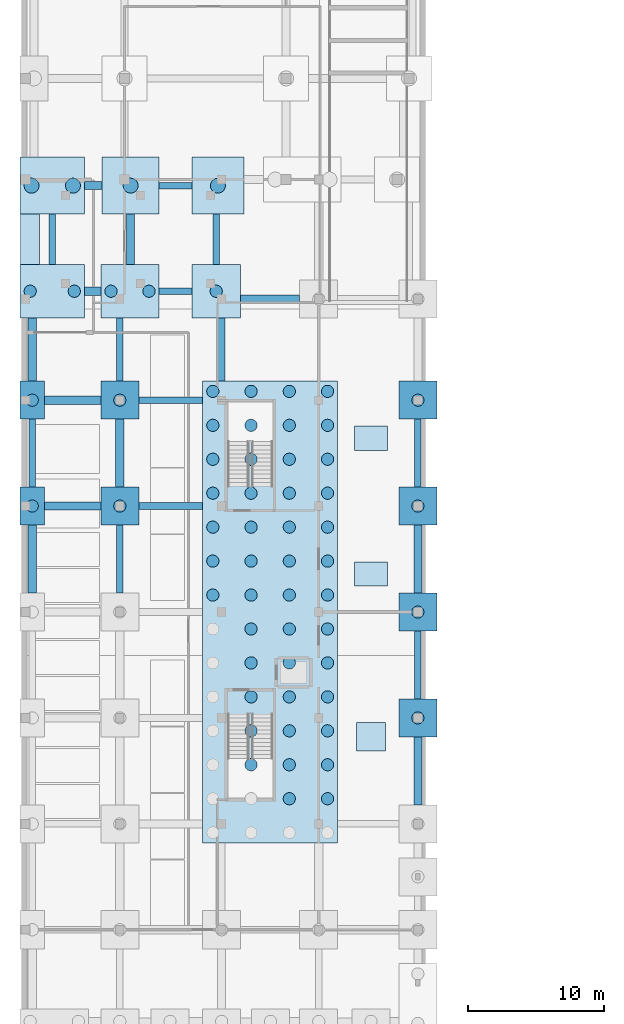
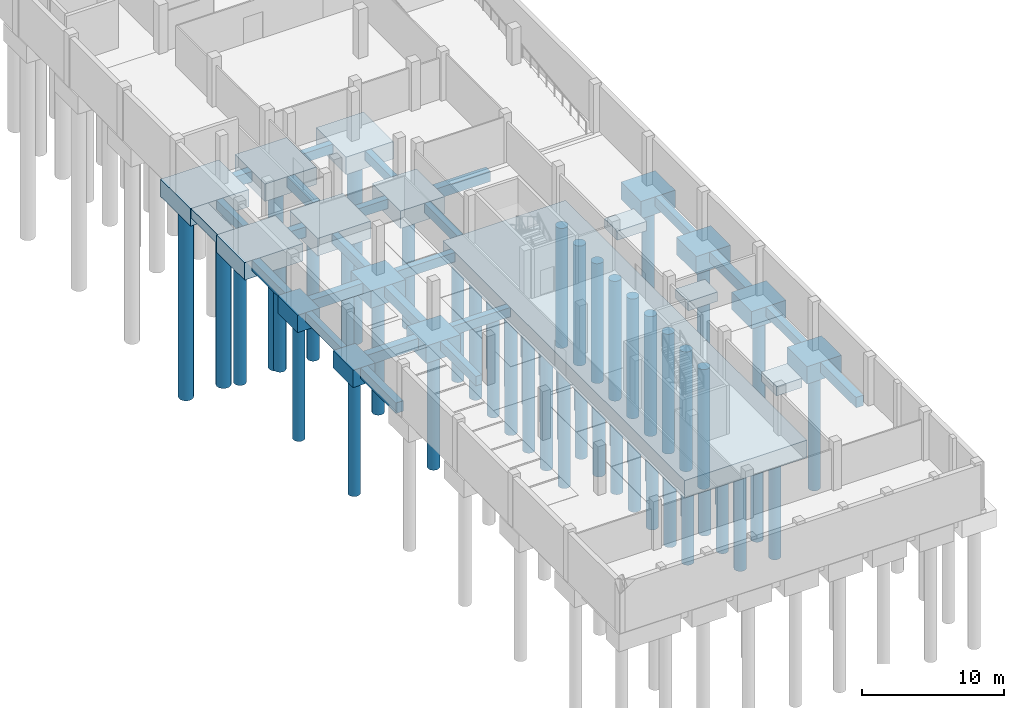
# One storey, part 2 of 21: 62 piles, 42 footings.
"""IFC4 building model written with IfcOpenShell, lengths in metres."""

from ifc_helpers import new_model, si_unit, direction, frame, origin, origin_2d, place, context, subcontext, project, spatial, polyline, circle, outline, extrude, material, material_profile, profile_set, type_object, element, save


model = new_model("IFC4")

# Units and contexts
model_context = context("Model", 3, precision=1e-05, world=origin(), true_north=direction((0.0, 1.0)))
body_context = subcontext(model_context, "Body", "Model", "MODEL_VIEW")
ifc_project = project(units=[si_unit("LENGTHUNIT", "METRE"), si_unit("AREAUNIT", "SQUARE_METRE"), si_unit("VOLUMEUNIT", "CUBIC_METRE"), si_unit("PLANEANGLEUNIT", "RADIAN"), si_unit("MASSUNIT", "GRAM", prefix="KILO")], contexts=[model_context])

# Site, building, storey
site_placement = place(None, origin())
site = spatial("IfcSite", under=ifc_project, at=site_placement, CompositionType="ELEMENT")
building_placement = place(site_placement, origin())
building = spatial("IfcBuilding", under=site, at=building_placement, Name="Quillay Park Conservatory", CompositionType="ELEMENT")
storey_placement = place(building_placement, frame((0.0, 0.0, -8.39990234375)))
storey = spatial("IfcBuildingStorey", under=building, at=storey_placement, Name="B2", CompositionType="ELEMENT", Elevation=-8.39990234375)

# Piles
ifc_material_1 = material(Name="Concrete C35/45 (NCh170 Concrete C35/45)", Category="concrete")
ifc_material_profile_1 = material_profile(ifc_material_1, circle(Radius=0.550048828125, at=origin_2d()), Name="PILE1100")
ifc_profile_set_1 = profile_set([ifc_material_profile_1], Name="Concrete C35/45 (NCh170 Concrete C35/45)")
pile_type_1 = type_object("IfcPileType", Name="BORED CONCRETE PILE 1100", PredefinedType="BORED", material=ifc_profile_set_1)
for number, where, z_axis, x_axis, name in (
    (1, (1.0, 62.60009765625, -1.7001953125), (0.0, 0.0, -1.0), (1.0, 0.0, 0.0), "Bored pile P-0095"),
    (2, (4.050048828125, 62.60009765625, -1.7001953125), (0.0, 0.0, -1.0), (1.0, 0.0, 0.0), "Bored pile P-0096"),
    (3, (8.300048828125, 62.60009765625, -1.7001953125), (0.0, 0.0, -1.0), (1.0, 0.0, 0.0), "Bored pile P-0097"),
    (4, (14.72509765625, 62.60009765625, -1.7001953125), (0.0, 0.0, -1.0), (1.0, 0.0, 0.0), "Bored pile P-0098"),
):
    element("IfcPile", number, at=place(storey_placement, frame(where, z_axis=z_axis, x_axis=x_axis)), inside=storey, type_object=pile_type_1, Name=name, PredefinedType="BORED", context=body_context, shape_type="SweptSolid", body=[
        extrude(circle(Radius=0.550048828125, at=origin_2d()), origin(), (0.0, 0.0, 1.0), 16.300048828125),
    ])
ifc_material_2 = material(Name="Concrete C35/45 (NCh170 Concrete C35/45)", Category="concrete")
ifc_material_profile_2 = material_profile(ifc_material_2, circle(Radius=0.449951171875, at=origin_2d()), Name="PILE900")
ifc_profile_set_2 = profile_set([ifc_material_profile_2], Name="Concrete C35/45 (NCh170 Concrete C35/45)")
pile_type_2 = type_object("IfcPileType", Name="BORED CONCRETE PILE 900", PredefinedType="BORED", material=ifc_profile_set_2)
for number, where, z_axis, x_axis, name in (
    (5, (14.35009765625, 32.449951171875, -1.7001953125), (0.0, 0.0, -1.0), (1.0, 0.0, 0.0), "Bored pile P-0026"),
    (6, (14.35009765625, 34.949951171875, -1.7001953125), (0.0, 0.0, -1.0), (1.0, 0.0, 0.0), "Bored pile P-0027"),
    (7, (14.35009765625, 37.449951171875, -1.7001953125), (0.0, 0.0, -1.0), (1.0, 0.0, 0.0), "Bored pile P-0028"),
    (8, (14.35009765625, 39.949951171875, -1.7001953125), (0.0, 0.0, -1.0), (1.0, 0.0, 0.0), "Bored pile P-0029"),
    (9, (14.35009765625, 42.449951171875, -1.7001953125), (0.0, 0.0, -1.0), (1.0, 0.0, 0.0), "Bored pile P-0030"),
    (10, (14.35009765625, 44.949951171875, -1.7001953125), (0.0, 0.0, -1.0), (1.0, 0.0, 0.0), "Bored pile P-0031"),
    (11, (14.35009765625, 47.449951171875, -1.7001953125), (0.0, 0.0, -1.0), (1.0, 0.0, 0.0), "Bored pile P-0032"),
    (12, (17.166748046875, 19.949951171875, -1.7001953125), (0.0, 0.0, -1.0), (1.0, 0.0, 0.0), "Bored pile P-0035"),
    (13, (17.166748046875, 22.449951171875, -1.7001953125), (0.0, 0.0, -1.0), (1.0, 0.0, 0.0), "Bored pile P-0036"),
    (14, (17.166748046875, 24.949951171875, -1.7001953125), (0.0, 0.0, -1.0), (1.0, 0.0, 0.0), "Bored pile P-0037"),
    (15, (17.166748046875, 27.449951171875, -1.7001953125), (0.0, 0.0, -1.0), (1.0, 0.0, 0.0), "Bored pile P-0038"),
    (16, (17.166748046875, 29.949951171875, -1.7001953125), (0.0, 0.0, -1.0), (1.0, 0.0, 0.0), "Bored pile P-0039"),
    (17, (17.166748046875, 32.449951171875, -1.7001953125), (0.0, 0.0, -1.0), (1.0, 0.0, 0.0), "Bored pile P-0040"),
    (18, (17.166748046875, 34.949951171875, -1.7001953125), (0.0, 0.0, -1.0), (1.0, 0.0, 0.0), "Bored pile P-0041"),
    (19, (17.166748046875, 37.449951171875, -1.7001953125), (0.0, 0.0, -1.0), (1.0, 0.0, 0.0), "Bored pile P-0042"),
    (20, (17.166748046875, 39.949951171875, -1.7001953125), (0.0, 0.0, -1.0), (1.0, 0.0, 0.0), "Bored pile P-0043"),
    (21, (17.166748046875, 42.449951171875, -1.7001953125), (0.0, 0.0, -1.0), (1.0, 0.0, 0.0), "Bored pile P-0044"),
    (22, (17.166748046875, 44.949951171875, -1.7001953125), (0.0, 0.0, -1.0), (1.0, 0.0, 0.0), "Bored pile P-0045"),
    (23, (17.166748046875, 47.449951171875, -1.7001953125), (0.0, 0.0, -1.0), (1.0, 0.0, 0.0), "Bored pile P-0046"),
    (24, (19.9833984375, 17.449951171875, -1.7001953125), (0.0, 0.0, -1.0), (1.0, 0.0, 0.0), "Bored pile P-0048"),
    (25, (19.9833984375, 19.949951171875, -1.7001953125), (0.0, 0.0, -1.0), (1.0, 0.0, 0.0), "Bored pile P-0049"),
    (26, (19.9833984375, 22.449951171875, -1.7001953125), (0.0, 0.0, -1.0), (1.0, 0.0, 0.0), "Bored pile P-0050"),
    (27, (19.9833984375, 24.949951171875, -1.7001953125), (0.0, 0.0, -1.0), (1.0, 0.0, 0.0), "Bored pile P-0051"),
    (28, (19.9833984375, 27.449951171875, -1.7001953125), (0.0, 0.0, -1.0), (1.0, 0.0, 0.0), "Bored pile P-0052"),
    (29, (19.9833984375, 29.949951171875, -1.7001953125), (0.0, 0.0, -1.0), (1.0, 0.0, 0.0), "Bored pile P-0053"),
    (30, (19.9833984375, 32.449951171875, -1.7001953125), (0.0, 0.0, -1.0), (1.0, 0.0, 0.0), "Bored pile P-0054"),
    (31, (19.9833984375, 34.949951171875, -1.7001953125), (0.0, 0.0, -1.0), (1.0, 0.0, 0.0), "Bored pile P-0055"),
    (32, (19.9833984375, 37.449951171875, -1.7001953125), (0.0, 0.0, -1.0), (1.0, 0.0, 0.0), "Bored pile P-0056"),
    (33, (19.9833984375, 39.949951171875, -1.7001953125), (0.0, 0.0, -1.0), (1.0, 0.0, 0.0), "Bored pile P-0057"),
    (34, (19.9833984375, 42.449951171875, -1.7001953125), (0.0, 0.0, -1.0), (1.0, 0.0, 0.0), "Bored pile P-0058"),
    (35, (19.9833984375, 44.949951171875, -1.7001953125), (0.0, 0.0, -1.0), (1.0, 0.0, 0.0), "Bored pile P-0059"),
    (36, (19.9833984375, 47.449951171875, -1.7001953125), (0.0, 0.0, -1.0), (1.0, 0.0, 0.0), "Bored pile P-0060"),
    (37, (22.800048828125, 17.449951171875, -1.7001953125), (0.0, 0.0, -1.0), (1.0, 0.0, 0.0), "Bored pile P-0062"),
    (38, (22.800048828125, 19.949951171875, -1.7001953125), (0.0, 0.0, -1.0), (1.0, 0.0, 0.0), "Bored pile P-0063"),
    (39, (22.800048828125, 22.449951171875, -1.7001953125), (0.0, 0.0, -1.0), (1.0, 0.0, 0.0), "Bored pile P-0064"),
    (40, (22.800048828125, 24.949951171875, -1.7001953125), (0.0, 0.0, -1.0), (1.0, 0.0, 0.0), "Bored pile P-0065"),
    (41, (22.800048828125, 27.449951171875, -1.7001953125), (0.0, 0.0, -1.0), (1.0, 0.0, 0.0), "Bored pile P-0066"),
    (42, (22.800048828125, 29.949951171875, -1.7001953125), (0.0, 0.0, -1.0), (1.0, 0.0, 0.0), "Bored pile P-0067"),
    (43, (22.800048828125, 32.449951171875, -1.7001953125), (0.0, 0.0, -1.0), (1.0, 0.0, 0.0), "Bored pile P-0068"),
    (44, (22.800048828125, 34.949951171875, -1.7001953125), (0.0, 0.0, -1.0), (1.0, 0.0, 0.0), "Bored pile P-0069"),
    (45, (22.800048828125, 37.449951171875, -1.7001953125), (0.0, 0.0, -1.0), (1.0, 0.0, 0.0), "Bored pile P-0070"),
    (46, (22.800048828125, 39.949951171875, -1.7001953125), (0.0, 0.0, -1.0), (1.0, 0.0, 0.0), "Bored pile P-0071"),
    (47, (22.800048828125, 42.449951171875, -1.7001953125), (0.0, 0.0, -1.0), (1.0, 0.0, 0.0), "Bored pile P-0072"),
    (48, (22.800048828125, 44.949951171875, -1.7001953125), (0.0, 0.0, -1.0), (1.0, 0.0, 0.0), "Bored pile P-0073"),
    (49, (22.800048828125, 47.449951171875, -1.7001953125), (0.0, 0.0, -1.0), (1.0, 0.0, 0.0), "Bored pile P-0074"),
    (50, (29.449951171875, 23.39990234375, -1.7001953125), (0.0, 0.0, -1.0), (1.0, 0.0, 0.0), "Bored pile P-0078"),
    (51, (29.449951171875, 31.199951171875, -1.7001953125), (0.0, 0.0, -1.0), (1.0, 0.0, 0.0), "Bored pile P-0081"),
    (52, (1.050048828125, 39.0, -1.7001953125), (0.0, 0.0, -1.0), (1.0, 0.0, 0.0), "Bored pile P-0082"),
    (53, (7.5, 39.0, -1.7001953125), (0.0, 0.0, -1.0), (1.0, 0.0, 0.0), "Bored pile P-0083"),
    (54, (29.449951171875, 39.0, -1.7001953125), (0.0, 0.0, -1.0), (1.0, 0.0, 0.0), "Bored pile P-0084"),
    (55, (1.050048828125, 46.800048828125, -1.7001953125), (0.0, 0.0, -1.0), (1.0, 0.0, 0.0), "Bored pile P-0085"),
    (56, (7.5, 46.800048828125, -1.7001953125), (0.0, 0.0, -1.0), (1.0, 0.0, 0.0), "Bored pile P-0086"),
    (57, (29.449951171875, 46.800048828125, -1.7001953125), (0.0, 0.0, -1.0), (1.0, 0.0, 0.0), "Bored pile P-0087"),
    (58, (0.89990234375, 54.824951171875, -1.7001953125), (0.0, 0.0, -1.0), (1.0, 0.0, 0.0), "Bored pile P-0088"),
    (59, (4.14990234375, 54.824951171875, -1.7001953125), (0.0, 0.0, -1.0), (1.0, 0.0, 0.0), "Bored pile P-0089"),
    (60, (6.85009765625, 54.824951171875, -1.7001953125), (0.0, 0.0, -1.0), (1.0, 0.0, 0.0), "Bored pile P-0090"),
    (61, (9.64990234375, 54.824951171875, -1.7001953125), (0.0, 0.0, -1.0), (1.0, 0.0, 0.0), "Bored pile P-0091"),
    (62, (14.60009765625, 54.824951171875, -1.7001953125), (0.0, 0.0, -1.0), (1.0, 0.0, 0.0), "Bored pile P-0092"),
):
    element("IfcPile", number, at=place(storey_placement, frame(where, z_axis=z_axis, x_axis=x_axis)), inside=storey, type_object=pile_type_2, Name=name, PredefinedType="BORED", context=body_context, shape_type="SweptSolid", body=[
        extrude(circle(Radius=0.449951171875, at=origin_2d()), origin(), (0.0, 0.0, 1.0), 10.300048828125),
    ])

# Footings
ifc_material_3 = material(Name="Concrete C35/45 (NCh170 Concrete C35/45)", Category="concrete")
footing_type_1 = type_object("IfcFootingType", Name="BORED PILE CAP 1800 X2800", PredefinedType="PILE_CAP", material=ifc_material_3)
footing_1_placement = place(storey_placement, frame((0.0, 0.0, -1.800048828125)))
element("IfcFooting", 63, at=footing_1_placement, inside=storey, type_object=footing_type_1, Name="B2 pile cap PC-04 (025)", PredefinedType="PILE_CAP", context=body_context, shape_type="SweptSolid", body=[
    extrude(outline(polyline([(0.14990234375, 37.60009765625), (1.949951171875, 37.60009765625), (1.949951171875, 40.39990234375), (0.14990234375, 40.39990234375), (0.14990234375, 37.60009765625)])), origin(), (0.0, 0.0, 1.0), 1.5),
])
footing_2_placement = place(storey_placement, frame((0.0, 0.0, -1.800048828125)))
element("IfcFooting", 64, at=footing_2_placement, inside=storey, type_object=footing_type_1, Name="B2 pile cap PC-04 (028)", PredefinedType="PILE_CAP", context=body_context, shape_type="SweptSolid", body=[
    extrude(outline(polyline([(0.14990234375, 45.39990234375), (1.949951171875, 45.39990234375), (1.949951171875, 48.199951171875), (0.14990234375, 48.199951171875), (0.14990234375, 45.39990234375)])), origin(), (0.0, 0.0, 1.0), 1.5),
])
ifc_material_4 = material(Name="Concrete C35/45 (NCh170 Concrete C35/45)", Category="concrete")
footing_type_2 = type_object("IfcFootingType", Name="BORED PILE CAP 2800 X2800", PredefinedType="PILE_CAP", material=ifc_material_4)
footing_3_placement = place(storey_placement, frame((0.0, 0.0, -1.800048828125)))
element("IfcFooting", 65, at=footing_3_placement, inside=storey, type_object=footing_type_2, Name="B2 pile cap PC-05 (021)", PredefinedType="PILE_CAP", context=body_context, shape_type="SweptSolid", body=[
    extrude(outline(polyline([(28.050048828125, 22.0), (30.85009765625, 22.0), (30.85009765625, 24.800048828125), (28.050048828125, 24.800048828125), (28.050048828125, 22.0)])), origin(), (0.0, 0.0, 1.0), 1.5),
])
footing_4_placement = place(storey_placement, frame((0.0, 0.0, -1.800048828125)))
element("IfcFooting", 66, at=footing_4_placement, inside=storey, type_object=footing_type_2, Name="B2 pile cap PC-05 (024)", PredefinedType="PILE_CAP", context=body_context, shape_type="SweptSolid", body=[
    extrude(outline(polyline([(28.050048828125, 29.800048828125), (30.85009765625, 29.800048828125), (30.85009765625, 32.60009765625), (28.050048828125, 32.60009765625), (28.050048828125, 29.800048828125)])), origin(), (0.0, 0.0, 1.0), 1.5),
])
footing_5_placement = place(storey_placement, frame((0.0, 0.0, -1.800048828125)))
element("IfcFooting", 67, at=footing_5_placement, inside=storey, type_object=footing_type_2, Name="B2 pile cap PC-05 (026)", PredefinedType="PILE_CAP", context=body_context, shape_type="SweptSolid", body=[
    extrude(outline(polyline([(6.10009765625, 37.60009765625), (8.89990234375, 37.60009765625), (8.89990234375, 40.39990234375), (6.10009765625, 40.39990234375), (6.10009765625, 37.60009765625)])), origin(), (0.0, 0.0, 1.0), 1.5),
])
footing_6_placement = place(storey_placement, frame((0.0, 0.0, -1.800048828125)))
element("IfcFooting", 68, at=footing_6_placement, inside=storey, type_object=footing_type_2, Name="B2 pile cap PC-05 (027)", PredefinedType="PILE_CAP", context=body_context, shape_type="SweptSolid", body=[
    extrude(outline(polyline([(28.050048828125, 37.60009765625), (30.85009765625, 37.60009765625), (30.85009765625, 40.39990234375), (28.050048828125, 40.39990234375), (28.050048828125, 37.60009765625)])), origin(), (0.0, 0.0, 1.0), 1.5),
])
footing_7_placement = place(storey_placement, frame((0.0, 0.0, -1.800048828125)))
element("IfcFooting", 69, at=footing_7_placement, inside=storey, type_object=footing_type_2, Name="B2 pile cap PC-05 (029)", PredefinedType="PILE_CAP", context=body_context, shape_type="SweptSolid", body=[
    extrude(outline(polyline([(6.10009765625, 45.39990234375), (8.89990234375, 45.39990234375), (8.89990234375, 48.199951171875), (6.10009765625, 48.199951171875), (6.10009765625, 45.39990234375)])), origin(), (0.0, 0.0, 1.0), 1.5),
])
footing_8_placement = place(storey_placement, frame((0.0, 0.0, -1.800048828125)))
element("IfcFooting", 70, at=footing_8_placement, inside=storey, type_object=footing_type_2, Name="B2 pile cap PC-05 (030)", PredefinedType="PILE_CAP", context=body_context, shape_type="SweptSolid", body=[
    extrude(outline(polyline([(28.050048828125, 45.39990234375), (30.85009765625, 45.39990234375), (30.85009765625, 48.199951171875), (28.050048828125, 48.199951171875), (28.050048828125, 45.39990234375)])), origin(), (0.0, 0.0, 1.0), 1.5),
])
ifc_material_5 = material(Name="Concrete C35/45 (NCh170 Concrete C35/45)", Category="concrete")
footing_type_3 = type_object("IfcFootingType", Name="BORED PILE CAP 3600 X3950", PredefinedType="PILE_CAP", material=ifc_material_5)
footing_9_placement = place(storey_placement, frame((0.0, 0.0, -1.800048828125)))
element("IfcFooting", 71, at=footing_9_placement, inside=storey, type_object=footing_type_3, Name="B2 pile cap PC-09 (033)", PredefinedType="PILE_CAP", context=body_context, shape_type="SweptSolid", body=[
    extrude(outline(polyline([(12.800048828125, 52.85009765625), (16.39990234375, 52.85009765625), (16.39990234375, 56.800048828125), (12.800048828125, 56.800048828125), (12.800048828125, 52.85009765625)])), origin(), (0.0, 0.0, 1.0), 1.5),
])
ifc_material_6 = material(Name="Concrete C35/45 (NCh170 Concrete C35/45)", Category="concrete")
footing_type_4 = type_object("IfcFootingType", Name="BORED PILE CAP 3850 X4200", PredefinedType="PILE_CAP", material=ifc_material_6)
footing_10_placement = place(storey_placement, frame((0.0, 0.0, -1.800048828125)))
element("IfcFooting", 72, at=footing_10_placement, inside=storey, type_object=footing_type_4, Name="B2 pile cap PC-12 (038)", PredefinedType="PILE_CAP", context=body_context, shape_type="SweptSolid", body=[
    extrude(outline(polyline([(12.800048828125, 60.5), (16.64990234375, 60.5), (16.64990234375, 64.699951171875), (12.800048828125, 64.699951171875), (12.800048828125, 60.5)])), origin(), (0.0, 0.0, 1.0), 1.5),
])
ifc_material_7 = material(Name="Concrete C35/45 (NCh170 Concrete C35/45)", Category="concrete")
footing_type_5 = type_object("IfcFootingType", Name="BORED PILE CAP 4200 X4200", PredefinedType="PILE_CAP", material=ifc_material_7)
footing_11_placement = place(storey_placement, frame((0.0, 0.0, -1.800048828125)))
element("IfcFooting", 73, at=footing_11_placement, inside=storey, type_object=footing_type_5, Name="B2 pile cap PC-11 (037)", PredefinedType="PILE_CAP", context=body_context, shape_type="SweptSolid", body=[
    extrude(outline(polyline([(6.199951171875, 60.5), (10.39990234375, 60.5), (10.39990234375, 64.699951171875), (6.199951171875, 64.699951171875), (6.199951171875, 60.5)])), origin(), (0.0, 0.0, 1.0), 1.5),
])
ifc_material_8 = material(Name="Concrete C35/45 (NCh170 Concrete C35/45)", Category="concrete")
footing_type_6 = type_object("IfcFootingType", Name="BORED PILE CAP 4300 X3950", PredefinedType="PILE_CAP", material=ifc_material_8)
footing_12_placement = place(storey_placement, frame((0.0, 0.0, -1.800048828125)))
element("IfcFooting", 74, at=footing_12_placement, inside=storey, type_object=footing_type_6, Name="B2 pile cap PC-08 (032)", PredefinedType="PILE_CAP", context=body_context, shape_type="SweptSolid", body=[
    extrude(outline(polyline([(6.10009765625, 52.85009765625), (10.39990234375, 52.85009765625), (10.39990234375, 56.800048828125), (6.10009765625, 56.800048828125), (6.10009765625, 52.85009765625)])), origin(), (0.0, 0.0, 1.0), 1.5),
])
ifc_material_9 = material(Name="Concrete C35/45 (NCh170 Concrete C35/45)", Category="concrete")
footing_type_7 = type_object("IfcFootingType", Name="BORED PILE CAP 4750 X3950", PredefinedType="PILE_CAP", material=ifc_material_9)
footing_13_placement = place(storey_placement, frame((0.0, 0.0, -1.800048828125)))
element("IfcFooting", 75, at=footing_13_placement, inside=storey, type_object=footing_type_7, Name="B2 pile cap PC-07 (031)", PredefinedType="PILE_CAP", context=body_context, shape_type="SweptSolid", body=[
    extrude(outline(polyline([(0.14990234375, 52.85009765625), (4.89990234375, 52.85009765625), (4.89990234375, 56.800048828125), (0.14990234375, 56.800048828125), (0.14990234375, 52.85009765625)])), origin(), (0.0, 0.0, 1.0), 1.5),
])
ifc_material_10 = material(Name="Concrete C35/45 (NCh170 Concrete C35/45)", Category="concrete")
footing_type_8 = type_object("IfcFootingType", Name="BORED PILE CAP 4750 X4200", PredefinedType="PILE_CAP", material=ifc_material_10)
footing_14_placement = place(storey_placement, frame((0.0, 0.0, -1.800048828125)))
element("IfcFooting", 76, at=footing_14_placement, inside=storey, type_object=footing_type_8, Name="B2 pile cap PC-10 (036)", PredefinedType="PILE_CAP", context=body_context, shape_type="SweptSolid", body=[
    extrude(outline(polyline([(0.14990234375, 60.5), (4.89990234375, 60.5), (4.89990234375, 64.699951171875), (0.14990234375, 64.699951171875), (0.14990234375, 60.5)])), origin(), (0.0, 0.0, 1.0), 1.5),
])
ifc_material_11 = material(Name="Concrete C35/45 (NCh170 Concrete C35/45)", Category="concrete")
footing_type_9 = type_object("IfcFootingType", Name="BORED PILE CAP 9950 X34000", PredefinedType="PILE_CAP", material=ifc_material_11)
footing_15_placement = place(storey_placement, frame((0.0, 0.0, -1.800048828125)))
element("IfcFooting", 77, at=footing_15_placement, inside=storey, type_object=footing_type_9, Name="B2 pile cap PC-06 (017)", PredefinedType="PILE_CAP", context=body_context, shape_type="SweptSolid", body=[
    extrude(outline(polyline([(13.60009765625, 14.199951171875), (23.550048828125, 14.199951171875), (23.550048828125, 48.199951171875), (13.60009765625, 48.199951171875), (13.60009765625, 14.199951171875)])), origin(), (0.0, 0.0, 1.0), 1.5),
])
ifc_material_12 = material(Name="Concrete C35/45 (NCh170 Concrete C35/45)", Category="concrete")
footing_type_10 = type_object("IfcFootingType", Name="ISOLATED PAD FOOTING 2100", PredefinedType="PAD_FOOTING", material=ifc_material_12)
footing_16_placement = place(storey_placement, frame((0.0, 0.0, -1.10009765625)))
element("IfcFooting", 78, at=footing_16_placement, inside=storey, type_object=footing_type_10, Name="Isolated pad footing PF-04", PredefinedType="PAD_FOOTING", context=body_context, shape_type="SweptSolid", body=[
    extrude(outline(polyline([(24.949951171875, 20.949951171875), (27.050048828125, 20.949951171875), (27.050048828125, 23.050048828125), (24.949951171875, 23.050048828125), (24.949951171875, 20.949951171875)])), origin(), (0.0, 0.0, 1.0), 0.800048828125),
])
ifc_material_13 = material(Name="Concrete C35/45 (NCh170 Concrete C35/45)", Category="concrete")
footing_type_11 = type_object("IfcFootingType", Name="ISOLATED PAD FOOTING 2400 X1800", PredefinedType="PAD_FOOTING", material=ifc_material_13)
footing_17_placement = place(storey_placement, frame((0.0, 0.0, -1.10009765625)))
element("IfcFooting", 79, at=footing_17_placement, inside=storey, type_object=footing_type_11, Name="Isolated pad footing PF-05", PredefinedType="PAD_FOOTING", context=body_context, shape_type="SweptSolid", body=[
    extrude(outline(polyline([(24.800048828125, 33.10009765625), (27.199951171875, 33.10009765625), (27.199951171875, 34.89990234375), (24.800048828125, 34.89990234375), (24.800048828125, 33.10009765625)])), origin(), (0.0, 0.0, 1.0), 0.800048828125),
])
footing_18_placement = place(storey_placement, frame((0.0, 0.0, -1.10009765625)))
element("IfcFooting", 80, at=footing_18_placement, inside=storey, type_object=footing_type_11, Name="Isolated pad footing PF-06", PredefinedType="PAD_FOOTING", context=body_context, shape_type="SweptSolid", body=[
    extrude(outline(polyline([(24.800048828125, 43.10009765625), (27.199951171875, 43.10009765625), (27.199951171875, 44.89990234375), (24.800048828125, 44.89990234375), (24.800048828125, 43.10009765625)])), origin(), (0.0, 0.0, 1.0), 0.800048828125),
])
ifc_material_14 = material(Name="Concrete C35/45 (NCh170 Concrete C35/45)", Category="concrete")
footing_type_12 = type_object("IfcFootingType", Name="SEISMIC GROUND BEAM 500 X800", PredefinedType="FOOTING_BEAM", material=ifc_material_14)
footing_19_placement = place(storey_placement, frame((0.0, 0.0, -1.10009765625)))
element("IfcFooting", 81, at=footing_19_placement, inside=storey, type_object=footing_type_12, Name="Seismic ground tie beam FB-020", PredefinedType="FOOTING_BEAM", context=body_context, shape_type="SweptSolid", body=[
    extrude(outline(polyline([(8.89990234375, 38.75), (13.60009765625, 38.75), (13.60009765625, 39.25), (8.89990234375, 39.25), (8.89990234375, 38.75)])), origin(), (0.0, 0.0, 1.0), 0.800048828125),
])
footing_20_placement = place(storey_placement, frame((0.0, 0.0, -1.10009765625)))
element("IfcFooting", 82, at=footing_20_placement, inside=storey, type_object=footing_type_12, Name="Seismic ground tie beam FB-022", PredefinedType="FOOTING_BEAM", context=body_context, shape_type="SweptSolid", body=[
    extrude(outline(polyline([(8.89990234375, 46.550048828125), (13.60009765625, 46.550048828125), (13.60009765625, 47.050048828125), (8.89990234375, 47.050048828125), (8.89990234375, 46.550048828125)])), origin(), (0.0, 0.0, 1.0), 0.800048828125),
])
footing_21_placement = place(storey_placement, frame((0.0, 0.0, -1.10009765625)))
element("IfcFooting", 83, at=footing_21_placement, inside=storey, type_object=footing_type_12, Name="Seismic ground tie beam FB-024", PredefinedType="FOOTING_BEAM", context=body_context, shape_type="SweptSolid", body=[
    extrude(outline(polyline([(10.39990234375, 54.574951171875), (12.800048828125, 54.574951171875), (12.800048828125, 55.074951171875), (10.39990234375, 55.074951171875), (10.39990234375, 54.574951171875)])), origin(), (0.0, 0.0, 1.0), 0.800048828125),
])
footing_22_placement = place(storey_placement, frame((0.0, 0.0, -1.10009765625)))
element("IfcFooting", 84, at=footing_22_placement, inside=storey, type_object=footing_type_12, Name="Seismic ground tie beam FB-028", PredefinedType="FOOTING_BEAM", context=body_context, shape_type="SweptSolid", body=[
    extrude(outline(polyline([(10.39990234375, 62.35009765625), (12.800048828125, 62.35009765625), (12.800048828125, 62.85009765625), (10.39990234375, 62.85009765625), (10.39990234375, 62.35009765625)])), origin(), (0.0, 0.0, 1.0), 0.800048828125),
])
footing_23_placement = place(storey_placement, frame((0.0, 0.0, -1.10009765625)))
element("IfcFooting", 85, at=footing_23_placement, inside=storey, type_object=footing_type_12, Name="Seismic ground tie beam FB-108", PredefinedType="FOOTING_BEAM", context=body_context, shape_type="SweptSolid", body=[
    extrude(outline(polyline([(14.75, 48.199951171875), (15.25, 48.199951171875), (15.25, 52.85009765625), (14.75, 52.85009765625), (14.75, 48.199951171875)])), origin(), (0.0, 0.0, 1.0), 0.800048828125),
])
footing_24_placement = place(storey_placement, frame((0.0, 0.0, -1.10009765625)))
element("IfcFooting", 86, at=footing_24_placement, inside=storey, type_object=footing_type_12, Name="Seismic ground tie beam FB-112", PredefinedType="FOOTING_BEAM", context=body_context, shape_type="SweptSolid", body=[
    extrude(outline(polyline([(29.199951171875, 24.800048828125), (29.699951171875, 24.800048828125), (29.699951171875, 29.800048828125), (29.199951171875, 29.800048828125), (29.199951171875, 24.800048828125)])), origin(), (0.0, 0.0, 1.0), 0.800048828125),
])
footing_25_placement = place(storey_placement, frame((0.0, 0.0, -1.10009765625)))
element("IfcFooting", 87, at=footing_25_placement, inside=storey, type_object=footing_type_12, Name="Seismic ground tie beam FB-114", PredefinedType="FOOTING_BEAM", context=body_context, shape_type="SweptSolid", body=[
    extrude(outline(polyline([(7.25, 32.60009765625), (7.75, 32.60009765625), (7.75, 37.60009765625), (7.25, 37.60009765625), (7.25, 32.60009765625)])), origin(), (0.0, 0.0, 1.0), 0.800048828125),
])
footing_26_placement = place(storey_placement, frame((0.0, 0.0, -1.10009765625)))
element("IfcFooting", 88, at=footing_26_placement, inside=storey, type_object=footing_type_12, Name="Seismic ground tie beam FB-116", PredefinedType="FOOTING_BEAM", context=body_context, shape_type="SweptSolid", body=[
    extrude(outline(polyline([(0.800048828125, 40.39990234375), (1.300048828125, 40.39990234375), (1.300048828125, 45.39990234375), (0.800048828125, 45.39990234375), (0.800048828125, 40.39990234375)])), origin(), (0.0, 0.0, 1.0), 0.800048828125),
])
footing_27_placement = place(storey_placement, frame((0.0, 0.0, -1.10009765625)))
element("IfcFooting", 89, at=footing_27_placement, inside=storey, type_object=footing_type_12, Name="Seismic ground tie beam FB-118", PredefinedType="FOOTING_BEAM", context=body_context, shape_type="SweptSolid", body=[
    extrude(outline(polyline([(29.199951171875, 40.39990234375), (29.699951171875, 40.39990234375), (29.699951171875, 45.39990234375), (29.199951171875, 45.39990234375), (29.199951171875, 40.39990234375)])), origin(), (0.0, 0.0, 1.0), 0.800048828125),
])
footing_28_placement = place(storey_placement, frame((0.0, 0.0, -1.10009765625)))
element("IfcFooting", 90, at=footing_28_placement, inside=storey, type_object=footing_type_12, Name="Seismic ground tie beam FB-120", PredefinedType="FOOTING_BEAM", context=body_context, shape_type="SweptSolid", body=[
    extrude(outline(polyline([(7.25, 48.199951171875), (7.75, 48.199951171875), (7.75, 52.85009765625), (7.25, 52.85009765625), (7.25, 48.199951171875)])), origin(), (0.0, 0.0, 1.0), 0.800048828125),
])
footing_29_placement = place(storey_placement, frame((0.0, 0.0, -1.10009765625)))
element("IfcFooting", 91, at=footing_29_placement, inside=storey, type_object=footing_type_12, Name="Seismic ground tie beam FB-122", PredefinedType="FOOTING_BEAM", context=body_context, shape_type="SweptSolid", body=[
    extrude(outline(polyline([(2.27490234375, 56.800048828125), (2.77490234375, 56.800048828125), (2.77490234375, 60.5), (2.27490234375, 60.5), (2.27490234375, 56.800048828125)])), origin(), (0.0, 0.0, 1.0), 0.800048828125),
])
footing_30_placement = place(storey_placement, frame((0.0, 0.0, -1.10009765625)))
element("IfcFooting", 92, at=footing_30_placement, inside=storey, type_object=footing_type_12, Name="Seismic ground tie beam FB-124", PredefinedType="FOOTING_BEAM", context=body_context, shape_type="SweptSolid", body=[
    extrude(outline(polyline([(14.35009765625, 56.800048828125), (14.85009765625, 56.800048828125), (14.85009765625, 60.5), (14.35009765625, 60.5), (14.35009765625, 56.800048828125)])), origin(), (0.0, 0.0, 1.0), 0.800048828125),
])
ifc_material_15 = material(Name="Concrete C35/45 (NCh170 Concrete C35/45)", Category="concrete")
footing_type_13 = type_object("IfcFootingType", Name="SEISMIC GROUND BEAM 600 X900", PredefinedType="FOOTING_BEAM", material=ifc_material_15)
footing_31_placement = place(storey_placement, frame((0.0, 0.0, -1.2001953125)))
element("IfcFooting", 93, at=footing_31_placement, inside=storey, type_object=footing_type_13, Name="Seismic ground tie beam FB-019", PredefinedType="FOOTING_BEAM", context=body_context, shape_type="SweptSolid", body=[
    extrude(outline(polyline([(1.949951171875, 38.699951171875), (6.10009765625, 38.699951171875), (6.10009765625, 39.300048828125), (1.949951171875, 39.300048828125), (1.949951171875, 38.699951171875)])), origin(), (0.0, 0.0, 1.0), 0.900146484375),
])
footing_32_placement = place(storey_placement, frame((0.0, 0.0, -1.2001953125)))
element("IfcFooting", 94, at=footing_32_placement, inside=storey, type_object=footing_type_13, Name="Seismic ground tie beam FB-021", PredefinedType="FOOTING_BEAM", context=body_context, shape_type="SweptSolid", body=[
    extrude(outline(polyline([(1.949951171875, 46.5), (6.10009765625, 46.5), (6.10009765625, 47.10009765625), (1.949951171875, 47.10009765625), (1.949951171875, 46.5)])), origin(), (0.0, 0.0, 1.0), 0.900146484375),
])
footing_33_placement = place(storey_placement, frame((0.0, 0.0, -1.2001953125)))
element("IfcFooting", 95, at=footing_33_placement, inside=storey, type_object=footing_type_13, Name="Seismic ground tie beam FB-023", PredefinedType="FOOTING_BEAM", context=body_context, shape_type="SweptSolid", body=[
    extrude(outline(polyline([(4.89990234375, 54.52490234375), (6.10009765625, 54.52490234375), (6.10009765625, 55.125), (4.89990234375, 55.125), (4.89990234375, 54.52490234375)])), origin(), (0.0, 0.0, 1.0), 0.900146484375),
])
footing_34_placement = place(storey_placement, frame((0.0, 0.0, -1.2001953125)))
element("IfcFooting", 96, at=footing_34_placement, inside=storey, type_object=footing_type_13, Name="Seismic ground tie beam FB-025", PredefinedType="FOOTING_BEAM", context=body_context, shape_type="SweptSolid", body=[
    extrude(outline(polyline([(16.39990234375, 53.949951171875), (20.75, 53.949951171875), (20.75, 54.550048828125), (16.39990234375, 54.550048828125), (16.39990234375, 53.949951171875)])), origin(), (0.0, 0.0, 1.0), 0.900146484375),
])
footing_35_placement = place(storey_placement, frame((0.0, 0.0, -1.2001953125)))
element("IfcFooting", 97, at=footing_35_placement, inside=storey, type_object=footing_type_13, Name="Seismic ground tie beam FB-027", PredefinedType="FOOTING_BEAM", context=body_context, shape_type="SweptSolid", body=[
    extrude(outline(polyline([(4.89990234375, 62.300048828125), (6.199951171875, 62.300048828125), (6.199951171875, 62.89990234375), (4.89990234375, 62.89990234375), (4.89990234375, 62.300048828125)])), origin(), (0.0, 0.0, 1.0), 0.900146484375),
])
footing_36_placement = place(storey_placement, frame((0.0, 0.0, -1.2001953125)))
element("IfcFooting", 98, at=footing_36_placement, inside=storey, type_object=footing_type_13, Name="Seismic ground tie beam FB-109", PredefinedType="FOOTING_BEAM", context=body_context, shape_type="SweptSolid", body=[
    extrude(outline(polyline([(29.14990234375, 17.0), (29.75, 17.0), (29.75, 22.0), (29.14990234375, 22.0), (29.14990234375, 17.0)])), origin(), (0.0, 0.0, 1.0), 0.900146484375),
])
footing_37_placement = place(storey_placement, frame((0.0, 0.0, -1.2001953125)))
element("IfcFooting", 99, at=footing_37_placement, inside=storey, type_object=footing_type_13, Name="Seismic ground tie beam FB-113", PredefinedType="FOOTING_BEAM", context=body_context, shape_type="SweptSolid", body=[
    extrude(outline(polyline([(0.75, 32.60009765625), (1.35009765625, 32.60009765625), (1.35009765625, 37.60009765625), (0.75, 37.60009765625), (0.75, 32.60009765625)])), origin(), (0.0, 0.0, 1.0), 0.900146484375),
])
footing_38_placement = place(storey_placement, frame((0.0, 0.0, -1.2001953125)))
element("IfcFooting", 100, at=footing_38_placement, inside=storey, type_object=footing_type_13, Name="Seismic ground tie beam FB-115", PredefinedType="FOOTING_BEAM", context=body_context, shape_type="SweptSolid", body=[
    extrude(outline(polyline([(29.14990234375, 32.60009765625), (29.75, 32.60009765625), (29.75, 37.60009765625), (29.14990234375, 37.60009765625), (29.14990234375, 32.60009765625)])), origin(), (0.0, 0.0, 1.0), 0.900146484375),
])
footing_39_placement = place(storey_placement, frame((0.0, 0.0, -1.2001953125)))
element("IfcFooting", 101, at=footing_39_placement, inside=storey, type_object=footing_type_13, Name="Seismic ground tie beam FB-117", PredefinedType="FOOTING_BEAM", context=body_context, shape_type="SweptSolid", body=[
    extrude(outline(polyline([(7.199951171875, 40.39990234375), (7.800048828125, 40.39990234375), (7.800048828125, 45.39990234375), (7.199951171875, 45.39990234375), (7.199951171875, 40.39990234375)])), origin(), (0.0, 0.0, 1.0), 0.900146484375),
])
footing_40_placement = place(storey_placement, frame((0.0, 0.0, -1.2001953125)))
element("IfcFooting", 102, at=footing_40_placement, inside=storey, type_object=footing_type_13, Name="Seismic ground tie beam FB-119", PredefinedType="FOOTING_BEAM", context=body_context, shape_type="SweptSolid", body=[
    extrude(outline(polyline([(0.75, 48.199951171875), (1.35009765625, 48.199951171875), (1.35009765625, 52.85009765625), (0.75, 52.85009765625), (0.75, 48.199951171875)])), origin(), (0.0, 0.0, 1.0), 0.900146484375),
])
footing_41_placement = place(storey_placement, frame((0.0, 0.0, -1.2001953125)))
element("IfcFooting", 103, at=footing_41_placement, inside=storey, type_object=footing_type_13, Name="Seismic ground tie beam FB-123", PredefinedType="FOOTING_BEAM", context=body_context, shape_type="SweptSolid", body=[
    extrude(outline(polyline([(8.0, 56.800048828125), (8.60009765625, 56.800048828125), (8.60009765625, 60.5), (8.0, 60.5), (8.0, 56.800048828125)])), origin(), (0.0, 0.0, 1.0), 0.900146484375),
])
ifc_material_16 = material(Name="Concrete C35/45 (NCh170 Concrete C35/45)", Category="concrete")
footing_type_14 = type_object("IfcFootingType", Name="WALL STRIP FOOTING 1400 X800", PredefinedType="STRIP_FOOTING", material=ifc_material_16)
footing_42_placement = place(storey_placement, frame((0.0, 0.0, -1.10009765625)))
element("IfcFooting", 104, at=footing_42_placement, inside=storey, type_object=footing_type_14, Name="Perimeter wall strip footing SF-01", PredefinedType="STRIP_FOOTING", context=body_context, shape_type="SweptSolid", body=[
    extrude(outline(polyline([(0.199951171875, 56.800048828125), (1.60009765625, 56.800048828125), (1.60009765625, 60.5), (0.199951171875, 60.5), (0.199951171875, 56.800048828125)])), origin(), (0.0, 0.0, 1.0), 0.800048828125),
])

save(model, "model.ifc")
